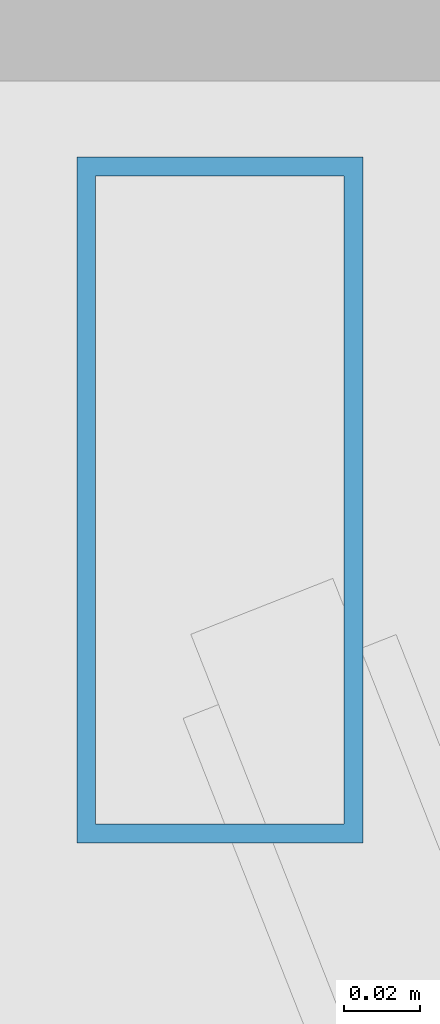
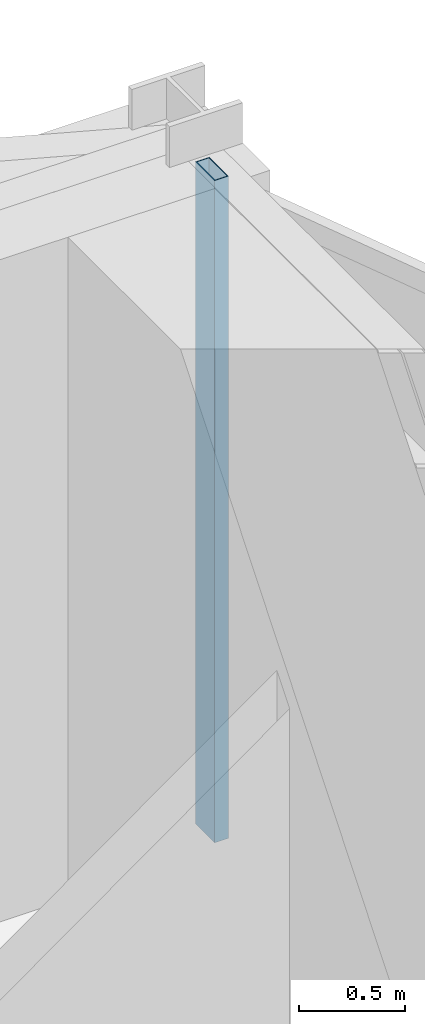
# One storey, part 17 of 25: 1 member, 1 element without a shape of its own.
"""IFC4 building model written with IfcOpenShell, lengths in metres."""

from ifc_helpers import new_model, si_unit, direction, frame, origin, origin_2d, place, context, subcontext, project, spatial, hollow_rectangle, extrude, material, layer, layer_set, material_profile, profile_set, type_object, element, aggregate, save


model = new_model("IFC4")

# Units and contexts
model_context = context("Model", 3, precision=1e-05, world=origin(), true_north=direction((0.0, 1.0)))
body_context = subcontext(model_context, "Body", "Model", "MODEL_VIEW")
ifc_project = project(units=[si_unit("LENGTHUNIT", "METRE"), si_unit("AREAUNIT", "SQUARE_METRE"), si_unit("VOLUMEUNIT", "CUBIC_METRE"), si_unit("PLANEANGLEUNIT", "RADIAN"), si_unit("MASSUNIT", "GRAM", prefix="KILO")], contexts=[model_context])

# Site, building, storey
site_placement = place(None, origin())
site = spatial("IfcSite", under=ifc_project, at=site_placement, CompositionType="ELEMENT")
building_placement = place(site_placement, origin())
building = spatial("IfcBuilding", under=site, at=building_placement, Name="Veymaron Broadcast Tower", CompositionType="ELEMENT")
storey_placement = place(building_placement, frame((0.0, 0.0, 145.199951171875)))
storey = spatial("IfcBuildingStorey", under=building, at=storey_placement, Name="L33", CompositionType="ELEMENT", Elevation=145.199951171875)

# Curtain wall, member
ifc_material_1 = material(Name="Anodised aluminium AA 6063-T6 and laminated low-E dark glass", Category="aluminium")
ifc_layer = layer(ifc_material_1, 0.179931640625)
ifc_layer_set = layer_set([ifc_layer], Name="Anodised aluminium AA 6063-T6 and laminated low-E dark glass")
curtain_wall_type = type_object("IfcCurtainWallType", Name="CW-SYS-03", PredefinedType="NOTDEFINED", material=ifc_layer_set)
curtain_wall_placement = place(storey_placement, origin())
curtain_wall = element("IfcCurtainWall", 1, at=curtain_wall_placement, inside=storey, type_object=curtain_wall_type, Name="L33 dark-glass curtain wall CW-L33-E3-1", PredefinedType="NOTDEFINED")
ifc_material_2 = material(Name="Anodised aluminium AA 6063-T6", Category="aluminium")
ifc_material_profile = material_profile(ifc_material_2, hollow_rectangle(XDim=0.074951171875, YDim=0.179931640625, WallThickness=0.0048828125, at=origin_2d()), Name="AL180X75X5")
ifc_profile_set = profile_set([ifc_material_profile], Name="Anodised aluminium AA 6063-T6")
member_type = type_object("IfcMemberType", Name="CW-MUL-02", PredefinedType="MULLION", material=ifc_profile_set)
member_placement = place(storey_placement, frame((54.569091796875, 31.696533203125, 0.0), z_axis=(0.0, 0.0, 1.0), x_axis=(1.0, 0.0, 0.0)))
member = element("IfcMember", 2, at=member_placement, type_object=member_type, Name="CW-L33-E3-1 mullion 2", PredefinedType="MULLION", context=body_context, shape_type="SweptSolid", body=[
    extrude(hollow_rectangle(XDim=0.074951171875, YDim=0.179931640625, WallThickness=0.0048828125, at=origin_2d()), origin(), (0.0, 0.0, 1.0), 3.81005859375),
])
aggregate(curtain_wall, [member])

save(model, "model.ifc")
